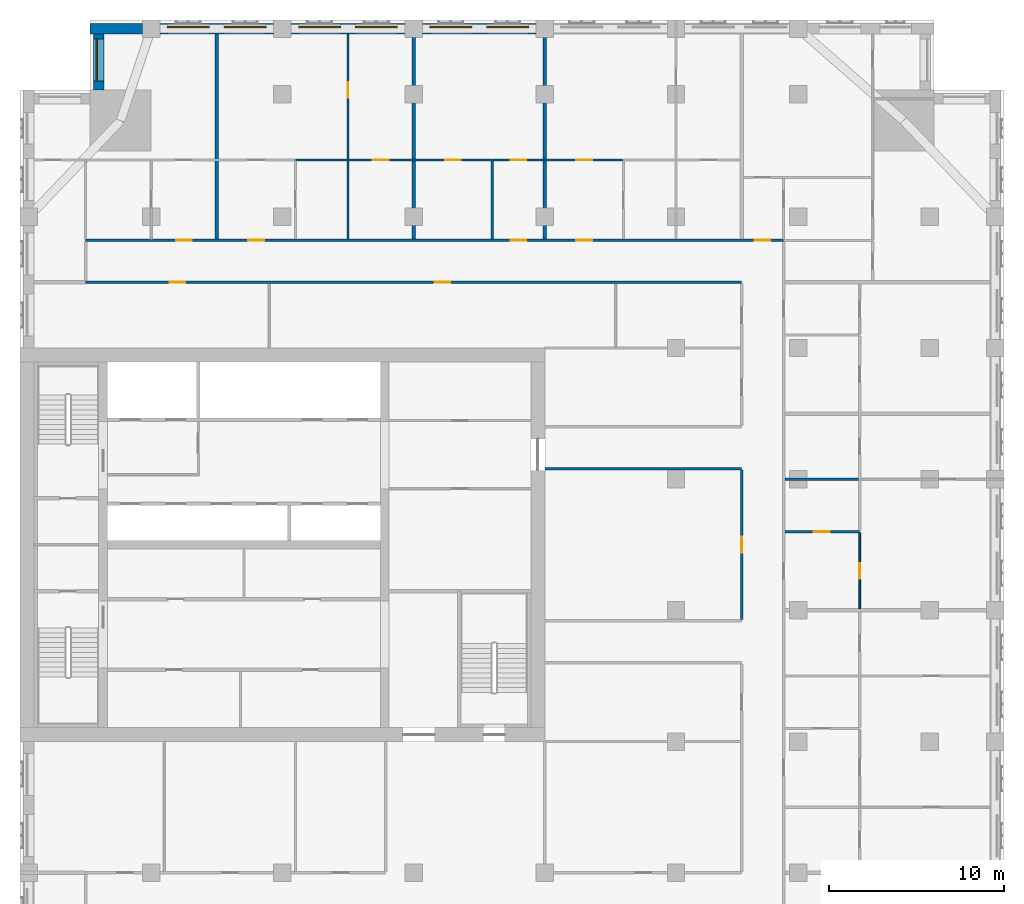
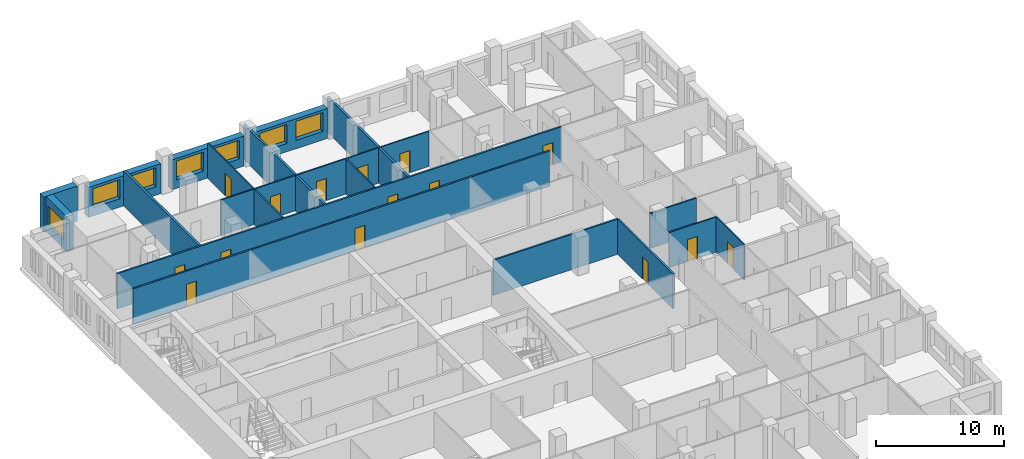
# One storey, part 9 of 13: 20 walls, 15 doors, 7 windows, 22 openings.
"""IFC4 building model written with IfcOpenShell, lengths in metres."""

import ifcopenshell
import ifcopenshell.guid

model = None  # the IFC model being written
_history = None  # IfcOwnerHistory: only IFC2X3 demands one
_inside = {}  # id of a spatial element -> (the spatial element, [elements in it])
_under = {}  # id of a project, library or spatial element -> (it, [spatial elements below it])
_declared = {}  # id of a project -> (the project, [libraries it declares])
_typed = {}  # id of a type object -> (the type object, [elements of that type])
_made_of = {}  # id of a material, layer set ... -> (it, [elements and type objects made of it])


def new_model(schema):
    """Start an empty IFC model of exactly this schema.

    Asked for "IFC4X3", IfcOpenShell would pick the latest addendum, in which some entities
    have other attributes; the version numbers below select the first issue.
    IFC2X3 requires an IfcOwnerHistory on every rooted entity: one is made here for all.
    """
    global model, _history
    if schema == "IFC4X3":
        model = ifcopenshell.file(schema_version=(4, 3, 0, 0))
    else:
        model = ifcopenshell.file(schema=schema)
    _inside.clear()
    _under.clear()
    _declared.clear()
    _typed.clear()
    _made_of.clear()
    _history = None
    if model.schema == "IFC2X3":
        org = make("IfcOrganization", Name="unknown")
        user = make(
            "IfcPersonAndOrganization",
            ThePerson=make("IfcPerson", FamilyName="unknown"),
            TheOrganization=org,
        )
        app = make(
            "IfcApplication",
            ApplicationDeveloper=org,
            Version="unknown",
            ApplicationFullName="unknown",
            ApplicationIdentifier="unknown",
        )
        _history = make(
            "IfcOwnerHistory",
            OwningUser=user,
            OwningApplication=app,
            ChangeAction="ADDED",
            CreationDate=0,
        )
    return model


def make(cls, **values):
    """One entity of the class cls with the attributes given. An attribute that is None is left unset."""
    return model.create_entity(
        cls, **{name: value for name, value in values.items() if value is not None}
    )


def rooted(cls, **values):
    """An entity with a GlobalId (a new one), such as an element, a storey or a relation."""
    return make(cls, GlobalId=ifcopenshell.guid.new(), OwnerHistory=_history, **values)


def si_unit(unit_type, name, prefix=None):
    """IfcSIUnit, for example si_unit("LENGTHUNIT", "METRE", prefix="MILLI")."""
    return make("IfcSIUnit", UnitType=unit_type, Prefix=prefix, Name=name)


def assignment(units):
    """IfcUnitAssignment: the units of a project."""
    return None if units is None else make("IfcUnitAssignment", Units=units)


def point(xyz):
    """IfcCartesianPoint."""
    return None if xyz is None else make("IfcCartesianPoint", Coordinates=xyz)


def direction(xyz):
    """IfcDirection."""
    return None if xyz is None else make("IfcDirection", DirectionRatios=xyz)


def frame(location, z_axis=None, x_axis=None):
    """IfcAxis2Placement3D, a coordinate frame: its origin and axes. An axis left out is left unset."""
    return make(
        "IfcAxis2Placement3D",
        Location=point(location),
        Axis=direction(z_axis),
        RefDirection=direction(x_axis),
    )


def frame_2d(location, x_axis=None):
    """IfcAxis2Placement2D, a coordinate frame in the plane: its origin and x axis."""
    return make(
        "IfcAxis2Placement2D", Location=point(location), RefDirection=direction(x_axis)
    )


def origin():
    """The frame at (0, 0, 0) with its axes left unset."""
    return frame((0.0, 0.0, 0.0))


def place(relative_to, where):
    """IfcLocalPlacement: puts the frame where relative to a parent placement (None: the world)."""
    return make(
        "IfcLocalPlacement", PlacementRelTo=relative_to, RelativePlacement=where
    )


def context(
    kind, dimensions, precision=None, world=None, true_north=None, identifier=None
):
    """IfcGeometricRepresentationContext, for example the 3D "Model" context."""
    return make(
        "IfcGeometricRepresentationContext",
        ContextIdentifier=identifier,
        ContextType=kind,
        CoordinateSpaceDimension=dimensions,
        Precision=precision,
        WorldCoordinateSystem=world,
        TrueNorth=true_north,
    )


def subcontext(parent, identifier, kind, view, scale=None):
    """IfcGeometricRepresentationSubContext, for example "Body" below "Model"."""
    return make(
        "IfcGeometricRepresentationSubContext",
        ContextIdentifier=identifier,
        ContextType=kind,
        ParentContext=parent,
        TargetScale=scale,
        TargetView=view,
    )


def project(units=None, contexts=None):
    """IfcProject with its units and contexts."""
    return rooted(
        "IfcProject",
        Name="project",
        RepresentationContexts=contexts,
        UnitsInContext=assignment(units),
    )


def spatial(cls, under=None, at=None, **own):
    """A site, building, storey or space (cls), placed at a placement, below another one or the project."""
    s = rooted(cls, ObjectPlacement=at, **own)
    if under is not None:
        _under.setdefault(under.id(), (under, []))[1].append(s)
    return s


def profile(cls, at=None, kind="AREA", **sizes):
    """A parametric profile (cls). Its sizes go by their IFC names, for example OverallWidth=200.0."""
    return make(cls, ProfileType=kind, Position=at, **sizes)


def rectangle(**sizes):
    """IfcRectangleProfileDef."""
    return profile("IfcRectangleProfileDef", **sizes)


def extrude(swept, where, along, depth):
    """IfcExtrudedAreaSolid: the profile swept, set in the frame where, extruded along a direction by depth."""
    return make(
        "IfcExtrudedAreaSolid",
        SweptArea=swept,
        Position=where,
        ExtrudedDirection=direction(along),
        Depth=depth,
    )


def shape(context_of_items, identifier, shape_type, items):
    """IfcShapeRepresentation: the items that make up one representation, for example the "Body"."""
    return make(
        "IfcShapeRepresentation",
        ContextOfItems=context_of_items,
        RepresentationIdentifier=identifier,
        RepresentationType=shape_type,
        Items=items,
    )


def material(Name=None, Category=None):
    """IfcMaterial."""
    return make("IfcMaterial", Name=Name, Category=Category)


def layer(
    of_material, thickness, ventilated=None, Name=None, Category=None, Priority=None
):
    """IfcMaterialLayer: one layer of a wall or slab, of a material (None: an air gap)."""
    return make(
        "IfcMaterialLayer",
        Material=of_material,
        LayerThickness=thickness,
        IsVentilated=ventilated,
        Name=Name,
        Category=Category,
        Priority=Priority,
    )


def layer_set(layers, Name=None):
    """IfcMaterialLayerSet."""
    return make("IfcMaterialLayerSet", MaterialLayers=layers, LayerSetName=Name)


def made_of(thing, what):
    """Note that an element or type object is made of a material, layer set ...; save() writes the relation."""
    if what is not None:
        _made_of.setdefault(what.id(), (what, []))[1].append(thing)
    return thing


def type_object(cls, material=None, **own):
    """A type object (cls), such as IfcWallType, which elements share."""
    return made_of(rooted(cls, **own), material)


def element(
    cls,
    number,
    at=None,
    inside=None,
    cuts=None,
    type_object=None,
    material=None,
    context=None,
    identifier="Body",
    shape_type=None,
    held_by="IfcProductDefinitionShape",
    body=None,
    shapes=None,
    **own,
):
    """One element of the class cls, such as IfcWall. Its Tag is "e" and its number.

    at: its placement. inside: the storey or other place that contains it. cuts: it is an
    opening in that element (IfcRelVoidsElement). A single representation is given by context,
    identifier, shape_type and body (its items); several are given by shapes. held_by: the class
    of the entity that holds the representations. save() writes the other relations.
    """
    e = rooted(cls, Tag="e%d" % number, ObjectPlacement=at, **own)
    if body is not None:
        shapes = [shape(context, identifier, shape_type, body)]
    if shapes is not None:
        e.Representation = make(held_by, Representations=shapes)
    if inside is not None:
        _inside.setdefault(inside.id(), (inside, []))[1].append(e)
    if cuts is not None:
        rooted(
            "IfcRelVoidsElement", RelatingBuildingElement=cuts, RelatedOpeningElement=e
        )
    if type_object is not None:
        _typed.setdefault(type_object.id(), (type_object, []))[1].append(e)
    return made_of(e, material)


def fill(opening, filler):
    """IfcRelFillsElement: the door or window that sits in an opening."""
    return rooted(
        "IfcRelFillsElement",
        RelatingOpeningElement=opening,
        RelatedBuildingElement=filler,
    )


def aggregate(whole, parts):
    """IfcRelAggregates: a whole, such as a stair, and the parts it consists of."""
    return rooted("IfcRelAggregates", RelatingObject=whole, RelatedObjects=parts)


def save(model, path):
    """Write the relations noted so far, then the file.

    IfcRelAggregates (storeys below a building ...), IfcRelContainedInSpatialStructure (elements
    in a storey), IfcRelDefinesByType, IfcRelAssociatesMaterial and IfcRelDeclares: one each for
    every whole, place, type object, material and project.
    """
    for whole, parts in _under.values():
        aggregate(whole, parts)
    for where, things in _inside.values():
        rooted(
            "IfcRelContainedInSpatialStructure",
            RelatedElements=things,
            RelatingStructure=where,
        )
    for kind, things in _typed.values():
        rooted("IfcRelDefinesByType", RelatedObjects=things, RelatingType=kind)
    for what, things in _made_of.values():
        rooted("IfcRelAssociatesMaterial", RelatedObjects=things, RelatingMaterial=what)
    for by, libraries in _declared.values():
        rooted("IfcRelDeclares", RelatingContext=by, RelatedDefinitions=libraries)
    model.write(path)


model = new_model("IFC4")

# Units and contexts
model_context = context("Model", 3, precision=1e-05, world=origin(), true_north=direction((0.0, 1.0)))
body_context = subcontext(model_context, "Body", "Model", "MODEL_VIEW")
ifc_project = project(units=[si_unit("LENGTHUNIT", "METRE"), si_unit("AREAUNIT", "SQUARE_METRE"), si_unit("VOLUMEUNIT", "CUBIC_METRE"), si_unit("PLANEANGLEUNIT", "RADIAN"), si_unit("MASSUNIT", "GRAM", prefix="KILO")], contexts=[model_context])

# Site, building, storey
site_placement = place(None, origin())
site = spatial("IfcSite", under=ifc_project, at=site_placement, CompositionType="ELEMENT")
building_placement = place(site_placement, origin())
building = spatial("IfcBuilding", under=site, at=building_placement, Name="Tamorin Gate", CompositionType="ELEMENT")
storey_placement = place(building_placement, frame((0.0, 0.0, 144.60009765625)))
storey = spatial("IfcBuildingStorey", under=building, at=storey_placement, Name="L35", CompositionType="ELEMENT", Elevation=144.60009765625)

# Wall, openings, windows
ifc_material_1 = material(Name="Precast concrete C40/50", Category="concrete")
ifc_layer_1 = layer(ifc_material_1, 0.60009765625)
ifc_layer_set_1 = layer_set([ifc_layer_1], Name="Precast concrete C40/50")
wall_type_1 = type_object("IfcWallType", Name="Board-marked concrete facade panel 600", PredefinedType="SOLIDWALL", material=ifc_layer_set_1)
wall_1_placement = place(storey_placement, frame((59.5, 100.75, 0.0), z_axis=(0.0, 0.0, 1.0), x_axis=(-1.0, 0.0, 0.0)))
wall_1 = element("IfcWall", 1, at=wall_1_placement, inside=storey, type_object=wall_type_1, Name="Facade panel", PredefinedType="SOLIDWALL", context=body_context, shape_type="SweptSolid", body=[
    extrude(rectangle(XDim=6.5, YDim=0.60009765625, at=frame_2d((3.25, 0.0))), origin(), (0.0, 0.0, 1.0), 2.849853515625),
])
opening_1_placement = place(wall_1_placement, frame((3.675048828125, 0.0, 0.800048828125)))
opening_1 = element("IfcOpeningElement", 2, at=opening_1_placement, cuts=wall_1, Name="Opening WN1", PredefinedType="OPENING", context=body_context, shape_type="SweptSolid", body=[
    extrude(rectangle(XDim=2.39990234375, YDim=1.800048828125, at=frame_2d((1.199951171875, 0.89990234375))), frame((0.0, 0.31005859375, 0.0), z_axis=(0.0, -1.0, 0.0), x_axis=(1.0, 0.0, 0.0)), (0.0, 0.0, 1.0), 0.6201171875),
])
opening_2_placement = place(wall_1_placement, frame((0.425048828125, 0.0, 0.800048828125)))
opening_2 = element("IfcOpeningElement", 3, at=opening_2_placement, cuts=wall_1, Name="Opening WN1", PredefinedType="OPENING", context=body_context, shape_type="SweptSolid", body=[
    extrude(rectangle(XDim=2.39990234375, YDim=1.800048828125, at=frame_2d((1.199951171875, 0.89990234375))), frame((0.0, 0.31005859375, 0.0), z_axis=(0.0, -1.0, 0.0), x_axis=(1.0, 0.0, 0.0)), (0.0, 0.0, 1.0), 0.6201171875),
])
ifc_material_2 = material(Name="Clear glass in aluminium frame", Category="aluminium")
window_type = type_object("IfcWindowType", Name="Deep-set window 2400x1800", PartitioningType="SINGLE_PANEL", PredefinedType="WINDOW", material=ifc_material_2)
window_1_placement = place(opening_1_placement, origin())
window_1 = element("IfcWindow", 4, at=window_1_placement, inside=storey, type_object=window_type, Name="Deep-set window", OverallHeight=1.800048828125, OverallWidth=2.39990234375, PartitioningType="SINGLE_PANEL", PredefinedType="WINDOW", context=body_context, shape_type="SweptSolid", body=[
    extrude(rectangle(XDim=2.39990234375, YDim=1.800048828125, at=frame_2d((1.199951171875, 0.89990234375))), frame((0.0, -0.070068359375, 0.0), z_axis=(0.0, -1.0, 0.0), x_axis=(1.0, 0.0, 0.0)), (0.0, 0.0, 1.0), 0.06005859375),
])
fill(opening_1, window_1)
window_2_placement = place(opening_2_placement, origin())
window_2 = element("IfcWindow", 5, at=window_2_placement, inside=storey, type_object=window_type, Name="Deep-set window", OverallHeight=1.800048828125, OverallWidth=2.39990234375, PartitioningType="SINGLE_PANEL", PredefinedType="WINDOW", context=body_context, shape_type="SweptSolid", body=[
    extrude(rectangle(XDim=2.39990234375, YDim=1.800048828125, at=frame_2d((1.199951171875, 0.89990234375))), frame((0.0, -0.070068359375, 0.0), z_axis=(0.0, -1.0, 0.0), x_axis=(1.0, 0.0, 0.0)), (0.0, 0.0, 1.0), 0.06005859375),
])
fill(opening_2, window_2)

wall_2_placement = place(storey_placement, frame((52.0, 100.75, 0.0), z_axis=(0.0, 0.0, 1.0), x_axis=(-1.0, 0.0, 0.0)))
wall_2 = element("IfcWall", 6, at=wall_2_placement, inside=storey, type_object=wall_type_1, Name="Facade panel", PredefinedType="SOLIDWALL", context=body_context, shape_type="SweptSolid", body=[
    extrude(rectangle(XDim=6.5, YDim=0.60009765625, at=frame_2d((3.25, 0.0))), origin(), (0.0, 0.0, 1.0), 2.849853515625),
])
opening_3_placement = place(wall_2_placement, frame((3.675048828125, 0.0, 0.800048828125)))
opening_3 = element("IfcOpeningElement", 7, at=opening_3_placement, cuts=wall_2, Name="Opening WN1", PredefinedType="OPENING", context=body_context, shape_type="SweptSolid", body=[
    extrude(rectangle(XDim=2.39990234375, YDim=1.800048828125, at=frame_2d((1.199951171875, 0.89990234375))), frame((0.0, 0.31005859375, 0.0), z_axis=(0.0, -1.0, 0.0), x_axis=(1.0, 0.0, 0.0)), (0.0, 0.0, 1.0), 0.6201171875),
])
opening_4_placement = place(wall_2_placement, frame((0.425048828125, 0.0, 0.800048828125)))
opening_4 = element("IfcOpeningElement", 8, at=opening_4_placement, cuts=wall_2, Name="Opening WN1", PredefinedType="OPENING", context=body_context, shape_type="SweptSolid", body=[
    extrude(rectangle(XDim=2.39990234375, YDim=1.800048828125, at=frame_2d((1.199951171875, 0.89990234375))), frame((0.0, 0.31005859375, 0.0), z_axis=(0.0, -1.0, 0.0), x_axis=(1.0, 0.0, 0.0)), (0.0, 0.0, 1.0), 0.6201171875),
])
window_3_placement = place(opening_3_placement, origin())
window_3 = element("IfcWindow", 9, at=window_3_placement, inside=storey, type_object=window_type, Name="Deep-set window", OverallHeight=1.800048828125, OverallWidth=2.39990234375, PartitioningType="SINGLE_PANEL", PredefinedType="WINDOW", context=body_context, shape_type="SweptSolid", body=[
    extrude(rectangle(XDim=2.39990234375, YDim=1.800048828125, at=frame_2d((1.199951171875, 0.89990234375))), frame((0.0, -0.070068359375, 0.0), z_axis=(0.0, -1.0, 0.0), x_axis=(1.0, 0.0, 0.0)), (0.0, 0.0, 1.0), 0.06005859375),
])
fill(opening_3, window_3)
window_4_placement = place(opening_4_placement, origin())
window_4 = element("IfcWindow", 10, at=window_4_placement, inside=storey, type_object=window_type, Name="Deep-set window", OverallHeight=1.800048828125, OverallWidth=2.39990234375, PartitioningType="SINGLE_PANEL", PredefinedType="WINDOW", context=body_context, shape_type="SweptSolid", body=[
    extrude(rectangle(XDim=2.39990234375, YDim=1.800048828125, at=frame_2d((1.199951171875, 0.89990234375))), frame((0.0, -0.070068359375, 0.0), z_axis=(0.0, -1.0, 0.0), x_axis=(1.0, 0.0, 0.0)), (0.0, 0.0, 1.0), 0.06005859375),
])
fill(opening_4, window_4)

wall_3_placement = place(storey_placement, frame((44.5, 100.75, 0.0), z_axis=(0.0, 0.0, 1.0), x_axis=(-1.0, 0.0, 0.0)))
wall_3 = element("IfcWall", 11, at=wall_3_placement, inside=storey, type_object=wall_type_1, Name="Facade panel", PredefinedType="SOLIDWALL", context=body_context, shape_type="SweptSolid", body=[
    extrude(rectangle(XDim=6.5, YDim=0.60009765625, at=frame_2d((3.25, 0.0))), origin(), (0.0, 0.0, 1.0), 2.849853515625),
])
opening_5_placement = place(wall_3_placement, frame((3.675048828125, 0.0, 0.800048828125)))
opening_5 = element("IfcOpeningElement", 12, at=opening_5_placement, cuts=wall_3, Name="Opening WN1", PredefinedType="OPENING", context=body_context, shape_type="SweptSolid", body=[
    extrude(rectangle(XDim=2.39990234375, YDim=1.800048828125, at=frame_2d((1.199951171875, 0.89990234375))), frame((0.0, 0.31005859375, 0.0), z_axis=(0.0, -1.0, 0.0), x_axis=(1.0, 0.0, 0.0)), (0.0, 0.0, 1.0), 0.6201171875),
])
opening_6_placement = place(wall_3_placement, frame((0.425048828125, 0.0, 0.800048828125)))
opening_6 = element("IfcOpeningElement", 13, at=opening_6_placement, cuts=wall_3, Name="Opening WN1", PredefinedType="OPENING", context=body_context, shape_type="SweptSolid", body=[
    extrude(rectangle(XDim=2.39990234375, YDim=1.800048828125, at=frame_2d((1.199951171875, 0.89990234375))), frame((0.0, 0.31005859375, 0.0), z_axis=(0.0, -1.0, 0.0), x_axis=(1.0, 0.0, 0.0)), (0.0, 0.0, 1.0), 0.6201171875),
])
window_5_placement = place(opening_5_placement, origin())
window_5 = element("IfcWindow", 14, at=window_5_placement, inside=storey, type_object=window_type, Name="Deep-set window", OverallHeight=1.800048828125, OverallWidth=2.39990234375, PartitioningType="SINGLE_PANEL", PredefinedType="WINDOW", context=body_context, shape_type="SweptSolid", body=[
    extrude(rectangle(XDim=2.39990234375, YDim=1.800048828125, at=frame_2d((1.199951171875, 0.89990234375))), frame((0.0, -0.070068359375, 0.0), z_axis=(0.0, -1.0, 0.0), x_axis=(1.0, 0.0, 0.0)), (0.0, 0.0, 1.0), 0.06005859375),
])
fill(opening_5, window_5)
window_6_placement = place(opening_6_placement, origin())
window_6 = element("IfcWindow", 15, at=window_6_placement, inside=storey, type_object=window_type, Name="Deep-set window", OverallHeight=1.800048828125, OverallWidth=2.39990234375, PartitioningType="SINGLE_PANEL", PredefinedType="WINDOW", context=body_context, shape_type="SweptSolid", body=[
    extrude(rectangle(XDim=2.39990234375, YDim=1.800048828125, at=frame_2d((1.199951171875, 0.89990234375))), frame((0.0, -0.070068359375, 0.0), z_axis=(0.0, -1.0, 0.0), x_axis=(1.0, 0.0, 0.0)), (0.0, 0.0, 1.0), 0.06005859375),
])
fill(opening_6, window_6)

# Wall
wall_4_placement = place(storey_placement, frame((37.0, 100.75, 0.0), z_axis=(0.0, 0.0, 1.0), x_axis=(-1.0, 0.0, 0.0)))
element("IfcWall", 16, at=wall_4_placement, inside=storey, type_object=wall_type_1, Name="Facade panel", PredefinedType="SOLIDWALL", context=body_context, shape_type="SweptSolid", body=[
    extrude(rectangle(XDim=3.0, YDim=0.60009765625, at=frame_2d((1.5, 0.0))), origin(), (0.0, 0.0, 1.0), 3.349853515625),
])

# Wall, opening, window
wall_5_placement = place(storey_placement, frame((34.5, 100.449951171875, 0.0), z_axis=(0.0, 0.0, 1.0), x_axis=(0.0, -1.0, 0.0)))
wall_5 = element("IfcWall", 17, at=wall_5_placement, inside=storey, type_object=wall_type_1, Name="Facade panel", PredefinedType="SOLIDWALL", context=body_context, shape_type="SweptSolid", body=[
    extrude(rectangle(XDim=3.199951171875, YDim=0.60009765625, at=frame_2d((1.60009765625, 0.0))), origin(), (0.0, 0.0, 1.0), 3.349853515625),
])
opening_7_placement = place(wall_5_placement, frame((0.27490234375, 0.0, 0.800048828125)))
opening_7 = element("IfcOpeningElement", 18, at=opening_7_placement, cuts=wall_5, Name="Opening WN1", PredefinedType="OPENING", context=body_context, shape_type="SweptSolid", body=[
    extrude(rectangle(XDim=2.39990234375, YDim=1.800048828125, at=frame_2d((1.199951171875, 0.89990234375))), frame((0.0, 0.31005859375, 0.0), z_axis=(0.0, -1.0, 0.0), x_axis=(1.0, 0.0, 0.0)), (0.0, 0.0, 1.0), 0.6201171875),
])
window_7_placement = place(opening_7_placement, origin())
window_7 = element("IfcWindow", 19, at=window_7_placement, inside=storey, type_object=window_type, Name="Deep-set window", OverallHeight=1.800048828125, OverallWidth=2.39990234375, PartitioningType="SINGLE_PANEL", PredefinedType="WINDOW", context=body_context, shape_type="SweptSolid", body=[
    extrude(rectangle(XDim=2.39990234375, YDim=1.800048828125, at=frame_2d((1.199951171875, 0.89990234375))), frame((0.0, -0.070068359375, 0.0), z_axis=(0.0, -1.0, 0.0), x_axis=(1.0, 0.0, 0.0)), (0.0, 0.0, 1.0), 0.06005859375),
])
fill(opening_7, window_7)

# Wall, openings, doors
ifc_material_3 = material(Name="Gypsum board partition")
ifc_layer_2 = layer(ifc_material_3, 0.14990234375)
ifc_layer_set_2 = layer_set([ifc_layer_2], Name="Corridor wall 150")
wall_type_2 = type_object("IfcWallType", Name="Corridor wall 150", PredefinedType="PARTITIONING", material=ifc_layer_set_2)
wall_6_placement = place(storey_placement, frame((33.75, 86.25, 0.0), z_axis=(0.0, 0.0, 1.0), x_axis=(1.0, 0.0, 0.0)))
wall_6 = element("IfcWall", 20, at=wall_6_placement, inside=storey, type_object=wall_type_2, Name="Corridor wall 150", PredefinedType="PARTITIONING", context=body_context, shape_type="SweptSolid", body=[
    extrude(rectangle(XDim=37.5, YDim=0.14990234375, at=frame_2d((18.75, 0.0))), origin(), (0.0, 0.0, 1.0), 3.349853515625),
])
opening_8_placement = place(wall_6_placement, frame((4.800048828125, 0.0, 0.0)))
opening_8 = element("IfcOpeningElement", 21, at=opening_8_placement, cuts=wall_6, Name="Opening DS1067", PredefinedType="OPENING", context=body_context, shape_type="SweptSolid", body=[
    extrude(rectangle(XDim=0.89990234375, YDim=2.10009765625, at=frame_2d((0.449951171875, 1.050048828125))), frame((0.0, 0.0849609375, 0.0), z_axis=(0.0, -1.0, 0.0), x_axis=(1.0, 0.0, 0.0)), (0.0, 0.0, 1.0), 0.169921875),
])
opening_9_placement = place(wall_6_placement, frame((19.949951171875, 0.0, 0.0)))
opening_9 = element("IfcOpeningElement", 22, at=opening_9_placement, cuts=wall_6, Name="Opening DS1068", PredefinedType="OPENING", context=body_context, shape_type="SweptSolid", body=[
    extrude(rectangle(XDim=0.89990234375, YDim=2.10009765625, at=frame_2d((0.449951171875, 1.050048828125))), frame((0.0, 0.0849609375, 0.0), z_axis=(0.0, -1.0, 0.0), x_axis=(1.0, 0.0, 0.0)), (0.0, 0.0, 1.0), 0.169921875),
])
ifc_material_4 = material(Name="Timber door leaf", Category="wood")
door_type_1 = type_object("IfcDoorType", Name="Door 900 x 2100 FD30S", OperationType="NOTDEFINED", PredefinedType="DOOR", material=ifc_material_4)
door_1_placement = place(opening_8_placement, origin())
door_1 = element("IfcDoor", 23, at=door_1_placement, inside=storey, type_object=door_type_1, Name="Door DS1067", OperationType="SINGLE_SWING_RIGHT", OverallHeight=2.10009765625, OverallWidth=0.89990234375, PredefinedType="DOOR", context=body_context, shape_type="SweptSolid", body=[
    extrude(rectangle(XDim=0.89990234375, YDim=2.10009765625, at=frame_2d((0.449951171875, 1.050048828125))), frame((0.0, 0.02490234375, 0.0), z_axis=(0.0, -1.0, 0.0), x_axis=(1.0, 0.0, 0.0)), (0.0, 0.0, 1.0), 0.050048828125),
])
fill(opening_8, door_1)
door_2_placement = place(opening_9_placement, origin())
door_2 = element("IfcDoor", 24, at=door_2_placement, inside=storey, type_object=door_type_1, Name="Door DS1068", OperationType="SINGLE_SWING_RIGHT", OverallHeight=2.10009765625, OverallWidth=0.89990234375, PredefinedType="DOOR", context=body_context, shape_type="SweptSolid", body=[
    extrude(rectangle(XDim=0.89990234375, YDim=2.10009765625, at=frame_2d((0.449951171875, 1.050048828125))), frame((0.0, 0.02490234375, 0.0), z_axis=(0.0, -1.0, 0.0), x_axis=(1.0, 0.0, 0.0)), (0.0, 0.0, 1.0), 0.050048828125),
])
fill(opening_9, door_2)

wall_7_placement = place(storey_placement, frame((33.75, 88.64990234375, 0.0), z_axis=(0.0, 0.0, 1.0), x_axis=(1.0, 0.0, 0.0)))
wall_7 = element("IfcWall", 25, at=wall_7_placement, inside=storey, type_object=wall_type_2, Name="Corridor wall 150", PredefinedType="PARTITIONING", context=body_context, shape_type="SweptSolid", body=[
    extrude(rectangle(XDim=39.89990234375, YDim=0.14990234375, at=frame_2d((19.949951171875, 0.0))), origin(), (0.0, 0.0, 1.0), 3.349853515625),
])
opening_10_placement = place(wall_7_placement, frame((5.175048828125, 0.0, 0.0)))
opening_10 = element("IfcOpeningElement", 26, at=opening_10_placement, cuts=wall_7, Name="Opening DS1021", PredefinedType="OPENING", context=body_context, shape_type="SweptSolid", body=[
    extrude(rectangle(XDim=0.89990234375, YDim=2.10009765625, at=frame_2d((0.449951171875, 1.050048828125))), frame((0.0, 0.0849609375, 0.0), z_axis=(0.0, -1.0, 0.0), x_axis=(1.0, 0.0, 0.0)), (0.0, 0.0, 1.0), 0.169921875),
])
opening_11_placement = place(wall_7_placement, frame((9.300048828125, 0.0, 0.0)))
opening_11 = element("IfcOpeningElement", 27, at=opening_11_placement, cuts=wall_7, Name="Opening DS1023", PredefinedType="OPENING", context=body_context, shape_type="SweptSolid", body=[
    extrude(rectangle(XDim=0.89990234375, YDim=2.10009765625, at=frame_2d((0.449951171875, 1.050048828125))), frame((0.0, 0.0849609375, 0.0), z_axis=(0.0, -1.0, 0.0), x_axis=(1.0, 0.0, 0.0)), (0.0, 0.0, 1.0), 0.169921875),
])
opening_12_placement = place(wall_7_placement, frame((24.300048828125, 0.0, 0.0)))
opening_12 = element("IfcOpeningElement", 28, at=opening_12_placement, cuts=wall_7, Name="Opening DS1029", PredefinedType="OPENING", context=body_context, shape_type="SweptSolid", body=[
    extrude(rectangle(XDim=0.89990234375, YDim=2.10009765625, at=frame_2d((0.449951171875, 1.050048828125))), frame((0.0, 0.0849609375, 0.0), z_axis=(0.0, -1.0, 0.0), x_axis=(1.0, 0.0, 0.0)), (0.0, 0.0, 1.0), 0.169921875),
])
opening_13_placement = place(wall_7_placement, frame((28.050048828125, 0.0, 0.0)))
opening_13 = element("IfcOpeningElement", 29, at=opening_13_placement, cuts=wall_7, Name="Opening DS1031", PredefinedType="OPENING", context=body_context, shape_type="SweptSolid", body=[
    extrude(rectangle(XDim=0.89990234375, YDim=2.10009765625, at=frame_2d((0.449951171875, 1.050048828125))), frame((0.0, 0.0849609375, 0.0), z_axis=(0.0, -1.0, 0.0), x_axis=(1.0, 0.0, 0.0)), (0.0, 0.0, 1.0), 0.169921875),
])
opening_14_placement = place(wall_7_placement, frame((38.25, 0.0, 0.0)))
opening_14 = element("IfcOpeningElement", 30, at=opening_14_placement, cuts=wall_7, Name="Opening DS1057", PredefinedType="OPENING", context=body_context, shape_type="SweptSolid", body=[
    extrude(rectangle(XDim=0.89990234375, YDim=2.10009765625, at=frame_2d((0.449951171875, 1.050048828125))), frame((0.0, 0.0849609375, 0.0), z_axis=(0.0, -1.0, 0.0), x_axis=(1.0, 0.0, 0.0)), (0.0, 0.0, 1.0), 0.169921875),
])
door_3_placement = place(opening_10_placement, origin())
door_3 = element("IfcDoor", 31, at=door_3_placement, inside=storey, type_object=door_type_1, Name="Door DS1021", OperationType="SINGLE_SWING_LEFT", OverallHeight=2.10009765625, OverallWidth=0.89990234375, PredefinedType="DOOR", context=body_context, shape_type="SweptSolid", body=[
    extrude(rectangle(XDim=0.89990234375, YDim=2.10009765625, at=frame_2d((0.449951171875, 1.050048828125))), frame((0.0, 0.02490234375, 0.0), z_axis=(0.0, -1.0, 0.0), x_axis=(1.0, 0.0, 0.0)), (0.0, 0.0, 1.0), 0.050048828125),
])
fill(opening_10, door_3)
door_4_placement = place(opening_11_placement, origin())
door_4 = element("IfcDoor", 32, at=door_4_placement, inside=storey, type_object=door_type_1, Name="Door DS1023", OperationType="SINGLE_SWING_LEFT", OverallHeight=2.10009765625, OverallWidth=0.89990234375, PredefinedType="DOOR", context=body_context, shape_type="SweptSolid", body=[
    extrude(rectangle(XDim=0.89990234375, YDim=2.10009765625, at=frame_2d((0.449951171875, 1.050048828125))), frame((0.0, 0.02490234375, 0.0), z_axis=(0.0, -1.0, 0.0), x_axis=(1.0, 0.0, 0.0)), (0.0, 0.0, 1.0), 0.050048828125),
])
fill(opening_11, door_4)
door_5_placement = place(opening_12_placement, origin())
door_5 = element("IfcDoor", 33, at=door_5_placement, inside=storey, type_object=door_type_1, Name="Door DS1029", OperationType="SINGLE_SWING_LEFT", OverallHeight=2.10009765625, OverallWidth=0.89990234375, PredefinedType="DOOR", context=body_context, shape_type="SweptSolid", body=[
    extrude(rectangle(XDim=0.89990234375, YDim=2.10009765625, at=frame_2d((0.449951171875, 1.050048828125))), frame((0.0, 0.02490234375, 0.0), z_axis=(0.0, -1.0, 0.0), x_axis=(1.0, 0.0, 0.0)), (0.0, 0.0, 1.0), 0.050048828125),
])
fill(opening_12, door_5)
door_6_placement = place(opening_13_placement, origin())
door_6 = element("IfcDoor", 34, at=door_6_placement, inside=storey, type_object=door_type_1, Name="Door DS1031", OperationType="SINGLE_SWING_LEFT", OverallHeight=2.10009765625, OverallWidth=0.89990234375, PredefinedType="DOOR", context=body_context, shape_type="SweptSolid", body=[
    extrude(rectangle(XDim=0.89990234375, YDim=2.10009765625, at=frame_2d((0.449951171875, 1.050048828125))), frame((0.0, 0.02490234375, 0.0), z_axis=(0.0, -1.0, 0.0), x_axis=(1.0, 0.0, 0.0)), (0.0, 0.0, 1.0), 0.050048828125),
])
fill(opening_13, door_6)
door_7_placement = place(opening_14_placement, origin())
door_7 = element("IfcDoor", 35, at=door_7_placement, inside=storey, type_object=door_type_1, Name="Door DS1057", OperationType="SINGLE_SWING_RIGHT", OverallHeight=2.10009765625, OverallWidth=0.89990234375, PredefinedType="DOOR", context=body_context, shape_type="SweptSolid", body=[
    extrude(rectangle(XDim=0.89990234375, YDim=2.10009765625, at=frame_2d((0.449951171875, 1.050048828125))), frame((0.0, 0.02490234375, 0.0), z_axis=(0.0, -1.0, 0.0), x_axis=(1.0, 0.0, 0.0)), (0.0, 0.0, 1.0), 0.050048828125),
])
fill(opening_14, door_7)

# Wall, opening, door
wall_8_placement = place(storey_placement, frame((71.25, 66.97509765625, 0.0), z_axis=(0.0, 0.0, 1.0), x_axis=(0.0, 1.0, 0.0)))
wall_8 = element("IfcWall", 36, at=wall_8_placement, inside=storey, type_object=wall_type_2, Name="Corridor wall 150", PredefinedType="PARTITIONING", context=body_context, shape_type="SweptSolid", body=[
    extrude(rectangle(XDim=8.5498046875, YDim=0.14990234375, at=frame_2d((4.27490234375, 0.0))), origin(), (0.0, 0.0, 1.0), 3.349853515625),
])
opening_15_placement = place(wall_8_placement, frame((3.824951171875, 0.0, 0.0)))
opening_15 = element("IfcOpeningElement", 37, at=opening_15_placement, cuts=wall_8, Name="Opening DS1071", PredefinedType="OPENING", context=body_context, shape_type="SweptSolid", body=[
    extrude(rectangle(XDim=0.89990234375, YDim=2.10009765625, at=frame_2d((0.449951171875, 1.050048828125))), frame((0.0, 0.0849609375, 0.0), z_axis=(0.0, -1.0, 0.0), x_axis=(1.0, 0.0, 0.0)), (0.0, 0.0, 1.0), 0.169921875),
])
door_8_placement = place(opening_15_placement, origin())
door_8 = element("IfcDoor", 38, at=door_8_placement, inside=storey, type_object=door_type_1, Name="Door DS1071", OperationType="SINGLE_SWING_LEFT", OverallHeight=2.10009765625, OverallWidth=0.89990234375, PredefinedType="DOOR", context=body_context, shape_type="SweptSolid", body=[
    extrude(rectangle(XDim=0.89990234375, YDim=2.10009765625, at=frame_2d((0.449951171875, 1.050048828125))), frame((0.0, 0.02490234375, 0.0), z_axis=(0.0, -1.0, 0.0), x_axis=(1.0, 0.0, 0.0)), (0.0, 0.0, 1.0), 0.050048828125),
])
fill(opening_15, door_8)

# Walls
ifc_layer_3 = layer(ifc_material_3, 0.199951171875)
ifc_layer_set_3 = layer_set([ifc_layer_3], Name="Demising wall 200")
wall_type_3 = type_object("IfcWallType", Name="Demising wall 200", PredefinedType="PARTITIONING", material=ifc_layer_set_3)
wall_9_placement = place(storey_placement, frame((41.25, 88.72509765625, 0.0), z_axis=(0.0, 0.0, 1.0), x_axis=(0.0, 1.0, 0.0)))
element("IfcWall", 39, at=wall_9_placement, inside=storey, type_object=wall_type_3, Name="Demising wall 200", PredefinedType="PARTITIONING", context=body_context, shape_type="SweptSolid", body=[
    extrude(rectangle(XDim=11.71484375, YDim=0.199951171875, at=frame_2d((5.857421875, 0.0))), origin(), (0.0, 0.0, 1.0), 3.349853515625),
])
for number, where, z_axis, x_axis, name in (
    (40, (52.5, 88.72509765625, 0.0), (0.0, 0.0, 1.0), (0.0, 1.0, 0.0), "Demising wall 200"),
    (41, (60.0, 88.72509765625, 0.0), (0.0, 0.0, 1.0), (0.0, 1.0, 0.0), "Demising wall 200"),
):
    element("IfcWall", number, at=place(storey_placement, frame(where, z_axis=z_axis, x_axis=x_axis)), inside=storey, type_object=wall_type_3, Name=name, PredefinedType="PARTITIONING", context=body_context, shape_type="SweptSolid", body=[
        extrude(rectangle(XDim=12.52490234375, YDim=0.199951171875, at=frame_2d((6.262451171875, 0.0))), origin(), (0.0, 0.0, 1.0), 3.349853515625),
    ])
ifc_layer_4 = layer(ifc_material_3, 0.14990234375)
ifc_layer_set_4 = layer_set([ifc_layer_4], Name="Lobby wall 150")
wall_type_4 = type_object("IfcWallType", Name="Lobby wall 150", PredefinedType="PARTITIONING", material=ifc_layer_set_4)
wall_10_placement = place(storey_placement, frame((60.0, 75.60009765625, 0.0), z_axis=(0.0, 0.0, 1.0), x_axis=(1.0, 0.0, 0.0)))
element("IfcWall", 42, at=wall_10_placement, inside=storey, type_object=wall_type_4, Name="Lobby wall 150", PredefinedType="PARTITIONING", context=body_context, shape_type="SweptSolid", body=[
    extrude(rectangle(XDim=11.25, YDim=0.14990234375, at=frame_2d((5.625, 0.0))), origin(), (0.0, 0.0, 1.0), 3.349853515625),
])

# Wall, openings, doors
ifc_layer_5 = layer(ifc_material_3, 0.10009765625)
ifc_layer_set_5 = layer_set([ifc_layer_5], Name="Room partition 100")
wall_type_5 = type_object("IfcWallType", Name="Room partition 100", PredefinedType="PARTITIONING", material=ifc_layer_set_5)
wall_11_placement = place(storey_placement, frame((57.0625, 93.25, 0.0), z_axis=(0.0, 0.0, 1.0), x_axis=(1.0, 0.0, 0.0)))
wall_11 = element("IfcWall", 43, at=wall_11_placement, inside=storey, type_object=wall_type_5, Name="Room partition 100", PredefinedType="PARTITIONING", context=body_context, shape_type="SweptSolid", body=[
    extrude(rectangle(XDim=7.375, YDim=0.10009765625, at=frame_2d((3.6875, 0.0))), origin(), (0.0, 0.0, 1.0), 3.349853515625),
])
opening_16_placement = place(wall_11_placement, frame((0.987548828125, 0.0, 0.0)))
opening_16 = element("IfcOpeningElement", 44, at=opening_16_placement, cuts=wall_11, Name="Opening DS1030", PredefinedType="OPENING", context=body_context, shape_type="SweptSolid", body=[
    extrude(rectangle(XDim=0.89990234375, YDim=2.10009765625, at=frame_2d((0.449951171875, 1.050048828125))), frame((0.0, 0.06005859375, 0.0), z_axis=(0.0, -1.0, 0.0), x_axis=(1.0, 0.0, 0.0)), (0.0, 0.0, 1.0), 0.1201171875),
])
opening_17_placement = place(wall_11_placement, frame((4.737548828125, 0.0, 0.0)))
opening_17 = element("IfcOpeningElement", 45, at=opening_17_placement, cuts=wall_11, Name="Opening DS1032", PredefinedType="OPENING", context=body_context, shape_type="SweptSolid", body=[
    extrude(rectangle(XDim=0.89990234375, YDim=2.10009765625, at=frame_2d((0.449951171875, 1.050048828125))), frame((0.0, 0.06005859375, 0.0), z_axis=(0.0, -1.0, 0.0), x_axis=(1.0, 0.0, 0.0)), (0.0, 0.0, 1.0), 0.1201171875),
])
door_type_2 = type_object("IfcDoorType", Name="Door 900 x 2100", OperationType="NOTDEFINED", PredefinedType="DOOR", material=ifc_material_4)
door_9_placement = place(opening_16_placement, origin())
door_9 = element("IfcDoor", 46, at=door_9_placement, inside=storey, type_object=door_type_2, Name="Door DS1030", OperationType="SINGLE_SWING_RIGHT", OverallHeight=2.10009765625, OverallWidth=0.89990234375, PredefinedType="DOOR", context=body_context, shape_type="SweptSolid", body=[
    extrude(rectangle(XDim=0.89990234375, YDim=2.10009765625, at=frame_2d((0.449951171875, 1.050048828125))), frame((0.0, 0.02490234375, 0.0), z_axis=(0.0, -1.0, 0.0), x_axis=(1.0, 0.0, 0.0)), (0.0, 0.0, 1.0), 0.050048828125),
])
fill(opening_16, door_9)
door_10_placement = place(opening_17_placement, origin())
door_10 = element("IfcDoor", 47, at=door_10_placement, inside=storey, type_object=door_type_2, Name="Door DS1032", OperationType="SINGLE_SWING_RIGHT", OverallHeight=2.10009765625, OverallWidth=0.89990234375, PredefinedType="DOOR", context=body_context, shape_type="SweptSolid", body=[
    extrude(rectangle(XDim=0.89990234375, YDim=2.10009765625, at=frame_2d((0.449951171875, 1.050048828125))), frame((0.0, 0.02490234375, 0.0), z_axis=(0.0, -1.0, 0.0), x_axis=(1.0, 0.0, 0.0)), (0.0, 0.0, 1.0), 0.050048828125),
])
fill(opening_17, door_10)

# Wall, opening, door
wall_12_placement = place(storey_placement, frame((48.75, 93.3125, 0.0), z_axis=(0.0, 0.0, 1.0), x_axis=(0.0, 1.0, 0.0)))
wall_12 = element("IfcWall", 48, at=wall_12_placement, inside=storey, type_object=wall_type_5, Name="Room partition 100", PredefinedType="PARTITIONING", context=body_context, shape_type="SweptSolid", body=[
    extrude(rectangle(XDim=7.12744140625, YDim=0.10009765625, at=frame_2d((3.563720703125, 0.0))), origin(), (0.0, 0.0, 1.0), 3.349853515625),
])
opening_18_placement = place(wall_12_placement, frame((3.487548828125, 0.0, 0.0)))
opening_18 = element("IfcOpeningElement", 49, at=opening_18_placement, cuts=wall_12, Name="Opening DS1027", PredefinedType="OPENING", context=body_context, shape_type="SweptSolid", body=[
    extrude(rectangle(XDim=0.89990234375, YDim=2.10009765625, at=frame_2d((0.449951171875, 1.050048828125))), frame((0.0, 0.06005859375, 0.0), z_axis=(0.0, -1.0, 0.0), x_axis=(1.0, 0.0, 0.0)), (0.0, 0.0, 1.0), 0.1201171875),
])
door_11_placement = place(opening_18_placement, origin())
door_11 = element("IfcDoor", 50, at=door_11_placement, inside=storey, type_object=door_type_2, Name="Door DS1027", OperationType="SINGLE_SWING_LEFT", OverallHeight=2.10009765625, OverallWidth=0.89990234375, PredefinedType="DOOR", context=body_context, shape_type="SweptSolid", body=[
    extrude(rectangle(XDim=0.89990234375, YDim=2.10009765625, at=frame_2d((0.449951171875, 1.050048828125))), frame((0.0, 0.02490234375, 0.0), z_axis=(0.0, -1.0, 0.0), x_axis=(1.0, 0.0, 0.0)), (0.0, 0.0, 1.0), 0.050048828125),
])
fill(opening_18, door_11)

wall_13_placement = place(storey_placement, frame((78.0, 67.60009765625, 0.0), z_axis=(0.0, 0.0, 1.0), x_axis=(0.0, 1.0, 0.0)))
wall_13 = element("IfcWall", 51, at=wall_13_placement, inside=storey, type_object=wall_type_5, Name="Room partition 100", PredefinedType="PARTITIONING", context=body_context, shape_type="SweptSolid", body=[
    extrude(rectangle(XDim=4.33740234375, YDim=0.10009765625, at=frame_2d((2.168701171875, 0.0))), origin(), (0.0, 0.0, 1.0), 3.349853515625),
])
opening_19_placement = place(wall_13_placement, frame((1.699951171875, 0.0, 0.0)))
opening_19 = element("IfcOpeningElement", 52, at=opening_19_placement, cuts=wall_13, Name="Opening DS1044", PredefinedType="OPENING", context=body_context, shape_type="SweptSolid", body=[
    extrude(rectangle(XDim=0.89990234375, YDim=2.10009765625, at=frame_2d((0.449951171875, 1.050048828125))), frame((0.0, 0.06005859375, 0.0), z_axis=(0.0, -1.0, 0.0), x_axis=(1.0, 0.0, 0.0)), (0.0, 0.0, 1.0), 0.1201171875),
])
door_12_placement = place(opening_19_placement, origin())
door_12 = element("IfcDoor", 53, at=door_12_placement, inside=storey, type_object=door_type_2, Name="Door DS1044", OperationType="SINGLE_SWING_LEFT", OverallHeight=2.10009765625, OverallWidth=0.89990234375, PredefinedType="DOOR", context=body_context, shape_type="SweptSolid", body=[
    extrude(rectangle(XDim=0.89990234375, YDim=2.10009765625, at=frame_2d((0.449951171875, 1.050048828125))), frame((0.0, 0.02490234375, 0.0), z_axis=(0.0, -1.0, 0.0), x_axis=(1.0, 0.0, 0.0)), (0.0, 0.0, 1.0), 0.050048828125),
])
fill(opening_19, door_12)

ifc_layer_6 = layer(ifc_material_3, 0.125)
ifc_layer_set_6 = layer_set([ifc_layer_6], Name="Wet wall 125")
wall_type_6 = type_object("IfcWallType", Name="Wet wall 125", PredefinedType="PARTITIONING", material=ifc_layer_set_6)
wall_14_placement = place(storey_placement, frame((73.72509765625, 72.0, 0.0), z_axis=(0.0, 0.0, 1.0), x_axis=(1.0, 0.0, 0.0)))
wall_14 = element("IfcWall", 54, at=wall_14_placement, inside=storey, type_object=wall_type_6, Name="Wet wall 125", PredefinedType="PARTITIONING", context=body_context, shape_type="SweptSolid", body=[
    extrude(rectangle(XDim=4.27490234375, YDim=0.125, at=frame_2d((2.137451171875, 0.0))), origin(), (0.0, 0.0, 1.0), 3.349853515625),
])
opening_20_placement = place(wall_14_placement, frame((1.64990234375, 0.0, 0.0)))
opening_20 = element("IfcOpeningElement", 55, at=opening_20_placement, cuts=wall_14, Name="Opening DS1045", PredefinedType="OPENING", context=body_context, shape_type="SweptSolid", body=[
    extrude(rectangle(XDim=0.89990234375, YDim=2.10009765625, at=frame_2d((0.449951171875, 1.050048828125))), frame((0.0, 0.072509765625, 0.0), z_axis=(0.0, -1.0, 0.0), x_axis=(1.0, 0.0, 0.0)), (0.0, 0.0, 1.0), 0.14501953125),
])
door_13_placement = place(opening_20_placement, origin())
door_13 = element("IfcDoor", 56, at=door_13_placement, inside=storey, type_object=door_type_2, Name="Door DS1045", OperationType="SINGLE_SWING_RIGHT", OverallHeight=2.10009765625, OverallWidth=0.89990234375, PredefinedType="DOOR", context=body_context, shape_type="SweptSolid", body=[
    extrude(rectangle(XDim=0.89990234375, YDim=2.10009765625, at=frame_2d((0.449951171875, 1.050048828125))), frame((0.0, 0.02490234375, 0.0), z_axis=(0.0, -1.0, 0.0), x_axis=(1.0, 0.0, 0.0)), (0.0, 0.0, 1.0), 0.050048828125),
])
fill(opening_20, door_13)

# Wall
wall_15_placement = place(storey_placement, frame((73.72509765625, 75.0, 0.0), z_axis=(0.0, 0.0, 1.0), x_axis=(1.0, 0.0, 0.0)))
element("IfcWall", 57, at=wall_15_placement, inside=storey, type_object=wall_type_6, Name="Wet wall 125", PredefinedType="PARTITIONING", context=body_context, shape_type="SweptSolid", body=[
    extrude(rectangle(XDim=4.21240234375, YDim=0.125, at=frame_2d((2.106201171875, 0.0))), origin(), (0.0, 0.0, 1.0), 3.349853515625),
])

# Wall, openings, doors
wall_16_placement = place(storey_placement, frame((45.75, 93.25, 0.0), z_axis=(0.0, 0.0, 1.0), x_axis=(1.0, 0.0, 0.0)))
wall_16 = element("IfcWall", 58, at=wall_16_placement, inside=storey, type_object=wall_type_6, Name="Wet wall 125", PredefinedType="PARTITIONING", context=body_context, shape_type="SweptSolid", body=[
    extrude(rectangle(XDim=11.25, YDim=0.125, at=frame_2d((5.625, 0.0))), origin(), (0.0, 0.0, 1.0), 3.349853515625),
])
opening_21_placement = place(wall_16_placement, frame((4.425048828125, 0.0, 0.0)))
opening_21 = element("IfcOpeningElement", 59, at=opening_21_placement, cuts=wall_16, Name="Opening DS1026", PredefinedType="OPENING", context=body_context, shape_type="SweptSolid", body=[
    extrude(rectangle(XDim=0.89990234375, YDim=2.10009765625, at=frame_2d((0.449951171875, 1.050048828125))), frame((0.0, 0.072509765625, 0.0), z_axis=(0.0, -1.0, 0.0), x_axis=(1.0, 0.0, 0.0)), (0.0, 0.0, 1.0), 0.14501953125),
])
opening_22_placement = place(wall_16_placement, frame((8.550048828125, 0.0, 0.0)))
opening_22 = element("IfcOpeningElement", 60, at=opening_22_placement, cuts=wall_16, Name="Opening DS1028", PredefinedType="OPENING", context=body_context, shape_type="SweptSolid", body=[
    extrude(rectangle(XDim=0.89990234375, YDim=2.10009765625, at=frame_2d((0.449951171875, 1.050048828125))), frame((0.0, 0.072509765625, 0.0), z_axis=(0.0, -1.0, 0.0), x_axis=(1.0, 0.0, 0.0)), (0.0, 0.0, 1.0), 0.14501953125),
])
door_14_placement = place(opening_21_placement, origin())
door_14 = element("IfcDoor", 61, at=door_14_placement, inside=storey, type_object=door_type_2, Name="Door DS1026", OperationType="SINGLE_SWING_RIGHT", OverallHeight=2.10009765625, OverallWidth=0.89990234375, PredefinedType="DOOR", context=body_context, shape_type="SweptSolid", body=[
    extrude(rectangle(XDim=0.89990234375, YDim=2.10009765625, at=frame_2d((0.449951171875, 1.050048828125))), frame((0.0, 0.02490234375, 0.0), z_axis=(0.0, -1.0, 0.0), x_axis=(1.0, 0.0, 0.0)), (0.0, 0.0, 1.0), 0.050048828125),
])
fill(opening_21, door_14)
door_15_placement = place(opening_22_placement, origin())
door_15 = element("IfcDoor", 62, at=door_15_placement, inside=storey, type_object=door_type_2, Name="Door DS1028", OperationType="SINGLE_SWING_RIGHT", OverallHeight=2.10009765625, OverallWidth=0.89990234375, PredefinedType="DOOR", context=body_context, shape_type="SweptSolid", body=[
    extrude(rectangle(XDim=0.89990234375, YDim=2.10009765625, at=frame_2d((0.449951171875, 1.050048828125))), frame((0.0, 0.02490234375, 0.0), z_axis=(0.0, -1.0, 0.0), x_axis=(1.0, 0.0, 0.0)), (0.0, 0.0, 1.0), 0.050048828125),
])
fill(opening_22, door_15)

# Walls
for number, where, z_axis, x_axis, name in (
    (63, (48.75, 88.72509765625, 0.0), (0.0, 0.0, 1.0), (0.0, 1.0, 0.0), "Wet wall 125"),
    (64, (57.0, 88.72509765625, 0.0), (0.0, 0.0, 1.0), (0.0, 1.0, 0.0), "Wet wall 125"),
):
    element("IfcWall", number, at=place(storey_placement, frame(where, z_axis=z_axis, x_axis=x_axis)), inside=storey, type_object=wall_type_6, Name=name, PredefinedType="PARTITIONING", context=body_context, shape_type="SweptSolid", body=[
        extrude(rectangle(XDim=4.46240234375, YDim=0.125, at=frame_2d((2.231201171875, 0.0))), origin(), (0.0, 0.0, 1.0), 3.349853515625),
    ])

save(model, "model.ifc")
